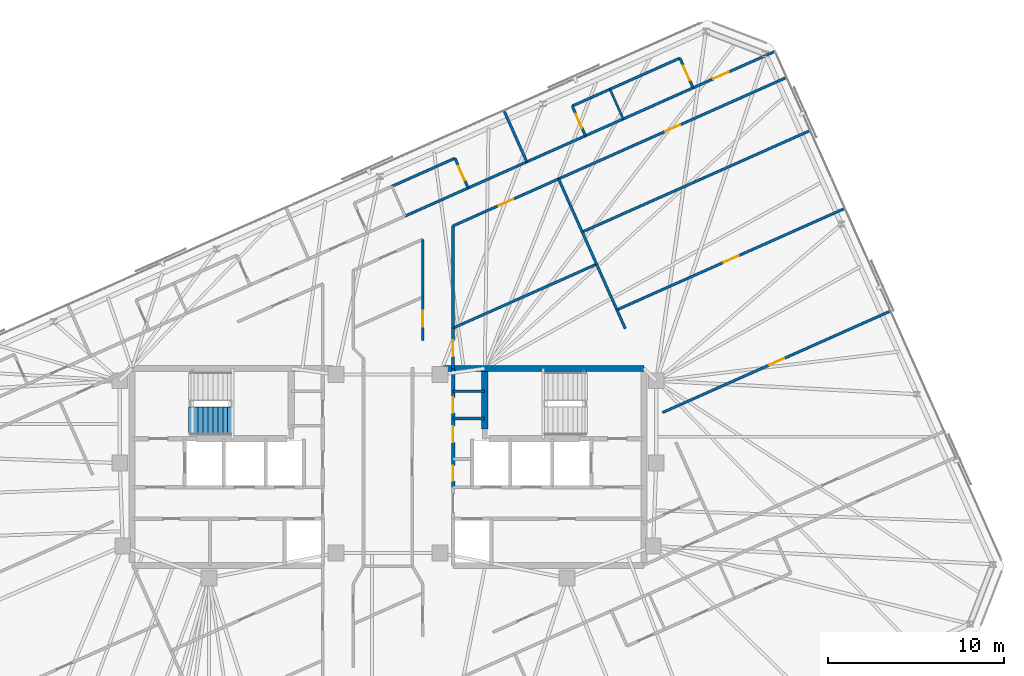
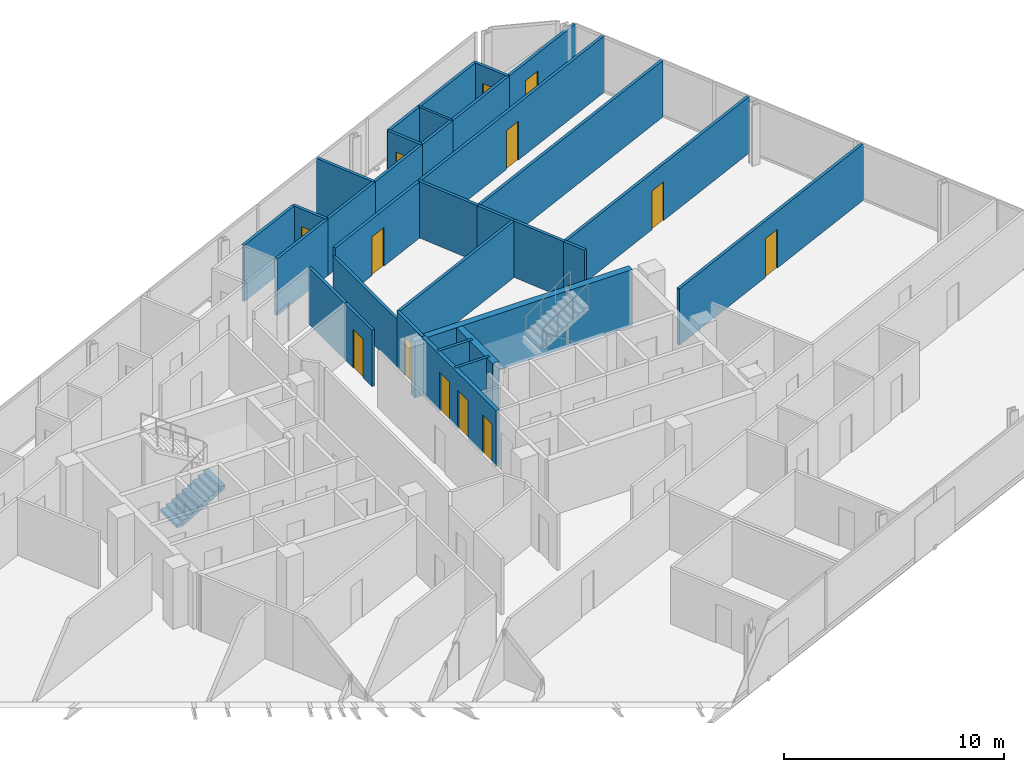
# One storey, part 17 of 19: 33 walls, 13 doors, 1 stair flight, 13 openings, 1 element without a shape of its own.
"""IFC4 building model written with IfcOpenShell, lengths in metres."""

from ifc_helpers import new_model, si_unit, direction, frame, frame_2d, origin, place, context, subcontext, project, spatial, polyline, rectangle, outline, extrude, material, layer, layer_set, type_object, element, fill, aggregate, save


model = new_model("IFC4")

# Units and contexts
model_context = context("Model", 3, precision=1e-05, world=origin(), true_north=direction((0.0, 1.0)))
body_context = subcontext(model_context, "Body", "Model", "MODEL_VIEW")
ifc_project = project(units=[si_unit("LENGTHUNIT", "METRE"), si_unit("AREAUNIT", "SQUARE_METRE"), si_unit("VOLUMEUNIT", "CUBIC_METRE"), si_unit("PLANEANGLEUNIT", "RADIAN"), si_unit("MASSUNIT", "GRAM", prefix="KILO")], contexts=[model_context])

# Site, building, storey
site_placement = place(None, origin())
site = spatial("IfcSite", under=ifc_project, at=site_placement, CompositionType="ELEMENT")
building_placement = place(site_placement, origin())
building = spatial("IfcBuilding", under=site, at=building_placement, Name="Menara Jurai Vektor", CompositionType="ELEMENT")
storey_placement = place(building_placement, frame((0.0, 0.0, 265.550048828125)))
storey = spatial("IfcBuildingStorey", under=building, at=storey_placement, Name="L71", CompositionType="ELEMENT", Elevation=265.550048828125)

# Walls
ifc_material_1 = material(Name="Gypsum Fireboard Partition", Category="gypsum")
ifc_layer_1 = layer(ifc_material_1, 0.14990234375)
ifc_layer_set_1 = layer_set([ifc_layer_1], Name="Gypsum Fireboard Partition")
wall_type_1 = type_object("IfcWallType", Name="INT-WALL-CORR-150", PredefinedType="PARTITIONING", material=ifc_layer_set_1)
for number, where, z_axis, x_axis, name in (
    (1, (3.699951171875, 4.300048828125, 0.0), (0.0, 0.0, 1.0), (1.0, 0.0, 0.0), "Interior Wall IW-150 L71"),
    (2, (3.699951171875, 2.75, 0.0), (0.0, 0.0, 1.0), (1.0, 0.0, 0.0), "Interior Wall IW-150 L71"),
):
    element("IfcWall", number, at=place(storey_placement, frame(where, z_axis=z_axis, x_axis=x_axis)), inside=storey, type_object=wall_type_1, Name=name, PredefinedType="PARTITIONING", context=body_context, shape_type="SweptSolid", body=[
        extrude(rectangle(XDim=1.800048828125, YDim=0.14990234375, at=frame_2d((0.89990234375, 0.0))), origin(), (0.0, 0.0, 1.0), 3.125),
    ])
wall_1_placement = place(storey_placement, frame((4.56005859375, 15.859130859375, 0.0), z_axis=(0.0, 0.0, 1.0), x_axis=(0.913543802, 0.40674036169, 0.0)))
element("IfcWall", 3, at=wall_1_placement, inside=storey, type_object=wall_type_1, Name="Interior Wall IW-150 L71", PredefinedType="PARTITIONING", context=body_context, shape_type="SweptSolid", body=[
    extrude(rectangle(XDim=3.650146484375, YDim=0.14990234375, at=frame_2d((1.8251953125, 0.0))), origin(), (0.0, 0.0, 1.0), 3.125),
])
wall_2_placement = place(storey_placement, frame((0.97705078125, 14.263916015625, 0.0), z_axis=(0.0, 0.0, 1.0), x_axis=(0.913549532696, 0.406727490232, 0.0)))
element("IfcWall", 4, at=wall_2_placement, inside=storey, type_object=wall_type_1, Name="Interior Wall IW-150 L71", PredefinedType="PARTITIONING", context=body_context, shape_type="SweptSolid", body=[
    extrude(rectangle(XDim=3.922119140625, YDim=0.14990234375, at=frame_2d((1.9609375, 0.0))), origin(), (0.0, 0.0, 1.0), 3.125),
])
wall_3_placement = place(storey_placement, frame((7.89453125, 17.34375, 0.0), z_axis=(0.0, 0.0, 1.0), x_axis=(0.913543802, 0.40674036169, 0.0)))
element("IfcWall", 5, at=wall_3_placement, inside=storey, type_object=wall_type_1, Name="Interior Wall IW-150 L71", PredefinedType="PARTITIONING", context=body_context, shape_type="SweptSolid", body=[
    extrude(rectangle(XDim=3.650146484375, YDim=0.14990234375, at=frame_2d((1.8251953125, 0.0))), origin(), (0.0, 0.0, 1.0), 3.125),
])

# Wall, opening, door
wall_4_placement = place(storey_placement, frame((17.349609375, 21.553466796875, 0.0), z_axis=(0.0, 0.0, 1.0), x_axis=(0.913558695023, 0.40670691013, 0.0)))
wall_4 = element("IfcWall", 6, at=wall_4_placement, inside=storey, type_object=wall_type_1, Name="Interior Wall IW-150 L71", PredefinedType="PARTITIONING", context=body_context, shape_type="SweptSolid", body=[
    extrude(rectangle(XDim=5.10009765625, YDim=0.14990234375, at=frame_2d((2.550048828125, 0.0))), origin(), (0.0, 0.0, 1.0), 3.125),
])
opening_1_placement = place(wall_4_placement, frame((1.25, 0.0, 0.0)))
opening_1 = element("IfcOpeningElement", 7, at=opening_1_placement, cuts=wall_4, Name="Opening D71-19", PredefinedType="OPENING", context=body_context, shape_type="SweptSolid", body=[
    extrude(rectangle(XDim=0.949951171875, YDim=2.14990234375, at=frame_2d((0.47509765625, 1.074951171875))), frame((0.0, 0.0849609375, 0.0), z_axis=(0.0, -1.0, 0.0), x_axis=(1.0, 0.0, 0.0)), (0.0, 0.0, 1.0), 0.169921875),
])
ifc_material_2 = material(Name="Solid Core Timber Fire Door", Category="wood")
door_type_1 = type_object("IfcDoorType", Name="DR-ENTRY-950", OperationType="NOTDEFINED", PredefinedType="DOOR", material=ifc_material_2)
door_1_placement = place(opening_1_placement, origin())
door_1 = element("IfcDoor", 8, at=door_1_placement, inside=storey, type_object=door_type_1, Name="Interior Door D71-19", OperationType="SINGLE_SWING_LEFT", OverallHeight=2.14990234375, OverallWidth=0.949951171875, PredefinedType="DOOR", context=body_context, shape_type="SweptSolid", body=[
    extrude(rectangle(XDim=0.949951171875, YDim=2.14990234375, at=frame_2d((0.47509765625, 1.074951171875))), frame((0.0, 0.02490234375, 0.0), z_axis=(0.0, -1.0, 0.0), x_axis=(1.0, 0.0, 0.0)), (0.0, 0.0, 1.0), 0.050048828125),
])
fill(opening_1, door_1)

# Walls
wall_5_placement = place(storey_placement, frame((11.22900390625, 18.828369140625, 0.0), z_axis=(0.0, 0.0, 1.0), x_axis=(0.913541436194, 0.406745675276, 0.0)))
element("IfcWall", 9, at=wall_5_placement, inside=storey, type_object=wall_type_1, Name="Interior Wall IW-150 L71", PredefinedType="PARTITIONING", context=body_context, shape_type="SweptSolid", body=[
    extrude(rectangle(XDim=2.349853515625, YDim=0.14990234375, at=frame_2d((1.1748046875, 0.0))), origin(), (0.0, 0.0, 1.0), 3.125),
])
wall_6_placement = place(storey_placement, frame((13.375732421875, 19.7841796875, 0.0), z_axis=(0.0, 0.0, 1.0), x_axis=(0.913545193015, 0.406737237438, 0.0)))
element("IfcWall", 10, at=wall_6_placement, inside=storey, type_object=wall_type_1, Name="Interior Wall IW-150 L71", PredefinedType="PARTITIONING", context=body_context, shape_type="SweptSolid", body=[
    extrude(rectangle(XDim=4.349853515625, YDim=0.14990234375, at=frame_2d((2.1748046875, 0.0))), origin(), (0.0, 0.0, 1.0), 3.125),
])

# Wall, opening, door
wall_7_placement = place(storey_placement, frame((3.7001953125, 5.6005859375, 0.0), z_axis=(0.0, 0.0, 1.0), x_axis=(-0.00010651896, 0.999999994327, 0.0)))
wall_7 = element("IfcWall", 11, at=wall_7_placement, inside=storey, type_object=wall_type_1, Name="Interior Wall IW-150 L71", PredefinedType="PARTITIONING", context=body_context, shape_type="SweptSolid", body=[
    extrude(rectangle(XDim=2.2919921875, YDim=0.14990234375, at=frame_2d((1.14599609375, 0.0))), origin(), (0.0, 0.0, 1.0), 3.125),
])
opening_2_placement = place(wall_7_placement, frame((0.68603515625, 0.0, 0.0)))
opening_2 = element("IfcOpeningElement", 12, at=opening_2_placement, cuts=wall_7, Name="Opening D71-44", PredefinedType="OPENING", context=body_context, shape_type="SweptSolid", body=[
    extrude(rectangle(XDim=0.919921875, YDim=2.14990234375, at=frame_2d((0.4599609375, 1.074951171875))), frame((0.0, 0.0849609375, 0.0), z_axis=(0.0, -1.0, 0.0), x_axis=(1.0, 0.0, 0.0)), (0.0, 0.0, 1.0), 0.169921875),
])
door_2_placement = place(opening_2_placement, origin())
door_2 = element("IfcDoor", 13, at=door_2_placement, inside=storey, type_object=door_type_1, Name="Interior Door D71-44", OperationType="SINGLE_SWING_RIGHT", OverallHeight=2.14990234375, OverallWidth=0.919921875, PredefinedType="DOOR", context=body_context, shape_type="SweptSolid", body=[
    extrude(rectangle(XDim=0.919921875, YDim=2.14990234375, at=frame_2d((0.4599609375, 1.074951171875))), frame((0.0, 0.02490234375, 0.0), z_axis=(0.0, -1.0, 0.0), x_axis=(1.0, 0.0, 0.0)), (0.0, 0.0, 1.0), 0.050048828125),
])
fill(opening_2, door_2)

wall_8_placement = place(storey_placement, frame((3.69970703125, 13.702880859375, 0.0), z_axis=(0.0, 0.0, 1.0), x_axis=(0.913549363376, 0.406727870542, 0.0)))
wall_8 = element("IfcWall", 14, at=wall_8_placement, inside=storey, type_object=wall_type_1, Name="Interior Wall IW-150 L71", PredefinedType="PARTITIONING", context=body_context, shape_type="SweptSolid", body=[
    extrude(rectangle(XDim=6.571044921875, YDim=0.14990234375, at=frame_2d((3.28564453125, 0.0))), origin(), (0.0, 0.0, 1.0), 3.125),
])
opening_3_placement = place(wall_8_placement, frame((2.825439453125, 0.0, 0.0)))
opening_3 = element("IfcOpeningElement", 15, at=opening_3_placement, cuts=wall_8, Name="Opening D71-45", PredefinedType="OPENING", context=body_context, shape_type="SweptSolid", body=[
    extrude(rectangle(XDim=0.919921875, YDim=2.14990234375, at=frame_2d((0.4599609375, 1.074951171875))), frame((0.0, 0.0849609375, 0.0), z_axis=(0.0, -1.0, 0.0), x_axis=(1.0, 0.0, 0.0)), (0.0, 0.0, 1.0), 0.169921875),
])
door_3_placement = place(opening_3_placement, origin())
door_3 = element("IfcDoor", 16, at=door_3_placement, inside=storey, type_object=door_type_1, Name="Interior Door D71-45", OperationType="SINGLE_SWING_LEFT", OverallHeight=2.14990234375, OverallWidth=0.919921875, PredefinedType="DOOR", context=body_context, shape_type="SweptSolid", body=[
    extrude(rectangle(XDim=0.919921875, YDim=2.14990234375, at=frame_2d((0.4599609375, 1.074951171875))), frame((0.0, 0.02490234375, 0.0), z_axis=(0.0, -1.0, 0.0), x_axis=(1.0, 0.0, 0.0)), (0.0, 0.0, 1.0), 0.050048828125),
])
fill(opening_3, door_3)

wall_9_placement = place(storey_placement, frame((1.97998046875, 7.180419921875, 0.0), z_axis=(0.0, 0.0, 1.0), x_axis=(0.000197102588, 0.999999980575, 0.0)))
wall_9 = element("IfcWall", 17, at=wall_9_placement, inside=storey, type_object=wall_type_1, Name="Interior Wall IW-150 L71", PredefinedType="PARTITIONING", context=body_context, shape_type="SweptSolid", body=[
    extrude(rectangle(XDim=2.477294921875, YDim=0.14990234375, at=frame_2d((1.23876953125, 0.0))), origin(), (0.0, 0.0, 1.0), 3.125),
])
opening_4_placement = place(wall_9_placement, frame((0.77880859375, 0.0, 0.0)))
opening_4 = element("IfcOpeningElement", 18, at=opening_4_placement, cuts=wall_9, Name="Opening D71-47", PredefinedType="OPENING", context=body_context, shape_type="SweptSolid", body=[
    extrude(rectangle(XDim=0.919921875, YDim=2.14990234375, at=frame_2d((0.4599609375, 1.074951171875))), frame((0.0, 0.0849609375, 0.0), z_axis=(0.0, -1.0, 0.0), x_axis=(1.0, 0.0, 0.0)), (0.0, 0.0, 1.0), 0.169921875),
])
door_4_placement = place(opening_4_placement, origin())
door_4 = element("IfcDoor", 19, at=door_4_placement, inside=storey, type_object=door_type_1, Name="Interior Door D71-47", OperationType="SINGLE_SWING_LEFT", OverallHeight=2.14990234375, OverallWidth=0.919921875, PredefinedType="DOOR", context=body_context, shape_type="SweptSolid", body=[
    extrude(rectangle(XDim=0.919921875, YDim=2.14990234375, at=frame_2d((0.4599609375, 1.074951171875))), frame((0.0, 0.02490234375, 0.0), z_axis=(0.0, -1.0, 0.0), x_axis=(1.0, 0.0, 0.0)), (0.0, 0.0, 1.0), 0.050048828125),
])
fill(opening_4, door_4)

# Wall
wall_10_placement = place(storey_placement, frame((1.98046875, 9.65771484375, 0.0), z_axis=(0.0, 0.0, 1.0), x_axis=(0.0, 1.0, 0.0)))
element("IfcWall", 20, at=wall_10_placement, inside=storey, type_object=wall_type_1, Name="Interior Wall IW-150 L71", PredefinedType="PARTITIONING", context=body_context, shape_type="SweptSolid", body=[
    extrude(rectangle(XDim=3.279541015625, YDim=0.14990234375, at=frame_2d((1.6396484375, 0.0))), origin(), (0.0, 0.0, 1.0), 3.125),
])

# Wall, opening, door
wall_11_placement = place(storey_placement, frame((9.70263671875, 16.37548828125, 0.0), z_axis=(0.0, 0.0, 1.0), x_axis=(0.913544622417, 0.406738519018, 0.0)))
wall_11 = element("IfcWall", 21, at=wall_11_placement, inside=storey, type_object=wall_type_1, Name="Interior Wall IW-150 L71", PredefinedType="PARTITIONING", context=body_context, shape_type="SweptSolid", body=[
    extrude(rectangle(XDim=14.192138671875, YDim=0.14990234375, at=frame_2d((7.09619140625, 0.0))), origin(), (0.0, 0.0, 1.0), 3.125),
])
opening_5_placement = place(wall_11_placement, frame((6.635986328125, 0.0, 0.0)))
opening_5 = element("IfcOpeningElement", 22, at=opening_5_placement, cuts=wall_11, Name="Opening D71-53", PredefinedType="OPENING", context=body_context, shape_type="SweptSolid", body=[
    extrude(rectangle(XDim=0.919921875, YDim=2.14990234375, at=frame_2d((0.4599609375, 1.074951171875))), frame((0.0, 0.0849609375, 0.0), z_axis=(0.0, -1.0, 0.0), x_axis=(1.0, 0.0, 0.0)), (0.0, 0.0, 1.0), 0.169921875),
])
door_5_placement = place(opening_5_placement, origin())
door_5 = element("IfcDoor", 23, at=door_5_placement, inside=storey, type_object=door_type_1, Name="Interior Door D71-53", OperationType="SINGLE_SWING_LEFT", OverallHeight=2.14990234375, OverallWidth=0.919921875, PredefinedType="DOOR", context=body_context, shape_type="SweptSolid", body=[
    extrude(rectangle(XDim=0.919921875, YDim=2.14990234375, at=frame_2d((0.4599609375, 1.074951171875))), frame((0.0, 0.02490234375, 0.0), z_axis=(0.0, -1.0, 0.0), x_axis=(1.0, 0.0, 0.0)), (0.0, 0.0, 1.0), 0.050048828125),
])
fill(opening_5, door_5)

# Wall
wall_12_placement = place(storey_placement, frame((0.224609375, 15.9541015625, 0.0), z_axis=(0.0, 0.0, 1.0), x_axis=(0.913549532696, 0.406727490232, 0.0)))
element("IfcWall", 24, at=wall_12_placement, inside=storey, type_object=wall_type_1, Name="Interior Wall IW-150 L71", PredefinedType="PARTITIONING", context=body_context, shape_type="SweptSolid", body=[
    extrude(rectangle(XDim=3.922119140625, YDim=0.14990234375, at=frame_2d((1.9609375, 0.0))), origin(), (0.0, 0.0, 1.0), 3.125),
])

# Wall, opening, door
wall_13_placement = place(storey_placement, frame((4.56005859375, 15.859130859375, 0.0), z_axis=(0.0, 0.0, 1.0), x_axis=(-0.406701600856, 0.913561058639, 0.0)))
wall_13 = element("IfcWall", 25, at=wall_13_placement, inside=storey, type_object=wall_type_1, Name="Interior Wall IW-150 L71", PredefinedType="PARTITIONING", context=body_context, shape_type="SweptSolid", body=[
    extrude(rectangle(XDim=1.85009765625, YDim=0.14990234375, at=frame_2d((0.925048828125, 0.0))), origin(), (0.0, 0.0, 1.0), 3.125),
])
opening_6_placement = place(wall_13_placement, frame((0.47509765625, 0.0, 0.0)))
opening_6 = element("IfcOpeningElement", 26, at=opening_6_placement, cuts=wall_13, Name="Opening D71-18", PredefinedType="OPENING", context=body_context, shape_type="SweptSolid", body=[
    extrude(rectangle(XDim=0.89990234375, YDim=2.14990234375, at=frame_2d((0.449951171875, 1.074951171875))), frame((0.0, 0.0849609375, 0.0), z_axis=(0.0, -1.0, 0.0), x_axis=(1.0, 0.0, 0.0)), (0.0, 0.0, 1.0), 0.169921875),
])
ifc_material_3 = material(Name="Acoustic Timber Interior Door", Category="wood")
door_type_2 = type_object("IfcDoorType", Name="DR-ROOM-900", OperationType="NOTDEFINED", PredefinedType="DOOR", material=ifc_material_3)
door_6_placement = place(opening_6_placement, origin())
door_6 = element("IfcDoor", 27, at=door_6_placement, inside=storey, type_object=door_type_2, Name="Interior Door D71-18", OperationType="SINGLE_SWING_RIGHT", OverallHeight=2.14990234375, OverallWidth=0.89990234375, PredefinedType="DOOR", context=body_context, shape_type="SweptSolid", body=[
    extrude(rectangle(XDim=0.89990234375, YDim=2.14990234375, at=frame_2d((0.449951171875, 1.074951171875))), frame((0.0, 0.02490234375, 0.0), z_axis=(0.0, -1.0, 0.0), x_axis=(1.0, 0.0, 0.0)), (0.0, 0.0, 1.0), 0.050048828125),
])
fill(opening_6, door_6)

# Wall
wall_14_placement = place(storey_placement, frame((7.89453125, 17.34375, 0.0), z_axis=(0.0, 0.0, 1.0), x_axis=(-0.406733350739, 0.913546923478, 0.0)))
element("IfcWall", 28, at=wall_14_placement, inside=storey, type_object=wall_type_1, Name="Interior Wall IW-150 L71", PredefinedType="PARTITIONING", context=body_context, shape_type="SweptSolid", body=[
    extrude(rectangle(XDim=3.197998046875, YDim=0.14990234375, at=frame_2d((1.59912109375, 0.0))), origin(), (0.0, 0.0, 1.0), 3.125),
])

# Wall, opening, door
wall_15_placement = place(storey_placement, frame((11.22900390625, 18.828369140625, 0.0), z_axis=(0.0, 0.0, 1.0), x_axis=(-0.406750635596, 0.913539227643, 0.0)))
wall_15 = element("IfcWall", 29, at=wall_15_placement, inside=storey, type_object=wall_type_1, Name="Interior Wall IW-150 L71", PredefinedType="PARTITIONING", context=body_context, shape_type="SweptSolid", body=[
    extrude(rectangle(XDim=1.849853515625, YDim=0.14990234375, at=frame_2d((0.9248046875, 0.0))), origin(), (0.0, 0.0, 1.0), 3.125),
])
opening_7_placement = place(wall_15_placement, frame((0.485107421875, 0.0, 0.0)))
opening_7 = element("IfcOpeningElement", 30, at=opening_7_placement, cuts=wall_15, Name="Opening D71-20", PredefinedType="OPENING", context=body_context, shape_type="SweptSolid", body=[
    extrude(rectangle(XDim=0.8798828125, YDim=2.14990234375, at=frame_2d((0.43994140625, 1.074951171875))), frame((0.0, 0.0849609375, 0.0), z_axis=(0.0, -1.0, 0.0), x_axis=(1.0, 0.0, 0.0)), (0.0, 0.0, 1.0), 0.169921875),
])
ifc_material_4 = material(Name="Moisture-Resistant Timber Door", Category="wood")
door_type_3 = type_object("IfcDoorType", Name="DR-BATH-880", OperationType="NOTDEFINED", PredefinedType="DOOR", material=ifc_material_4)
door_7_placement = place(opening_7_placement, origin())
door_7 = element("IfcDoor", 31, at=door_7_placement, inside=storey, type_object=door_type_3, Name="Interior Door D71-20", OperationType="SINGLE_SWING_RIGHT", OverallHeight=2.14990234375, OverallWidth=0.8798828125, PredefinedType="DOOR", context=body_context, shape_type="SweptSolid", body=[
    extrude(rectangle(XDim=0.8798828125, YDim=2.14990234375, at=frame_2d((0.43994140625, 1.074951171875))), frame((0.0, 0.02490234375, 0.0), z_axis=(0.0, -1.0, 0.0), x_axis=(1.0, 0.0, 0.0)), (0.0, 0.0, 1.0), 0.050048828125),
])
fill(opening_7, door_7)

# Walls
wall_16_placement = place(storey_placement, frame((10.4765625, 20.518310546875, 0.0), z_axis=(0.0, 0.0, 1.0), x_axis=(0.913541436194, 0.406745675276, 0.0)))
element("IfcWall", 32, at=wall_16_placement, inside=storey, type_object=wall_type_1, Name="Interior Wall IW-150 L71", PredefinedType="PARTITIONING", context=body_context, shape_type="SweptSolid", body=[
    extrude(rectangle(XDim=2.349853515625, YDim=0.14990234375, at=frame_2d((1.1748046875, 0.0))), origin(), (0.0, 0.0, 1.0), 3.125),
])
wall_17_placement = place(storey_placement, frame((12.623291015625, 21.47412109375, 0.0), z_axis=(0.0, 0.0, 1.0), x_axis=(0.913545193015, 0.406737237438, 0.0)))
element("IfcWall", 33, at=wall_17_placement, inside=storey, type_object=wall_type_1, Name="Interior Wall IW-150 L71", PredefinedType="PARTITIONING", context=body_context, shape_type="SweptSolid", body=[
    extrude(rectangle(XDim=4.349853515625, YDim=0.14990234375, at=frame_2d((2.1748046875, 0.0))), origin(), (0.0, 0.0, 1.0), 3.125),
])

# Wall, opening, door
wall_18_placement = place(storey_placement, frame((17.349609375, 21.553466796875, 0.0), z_axis=(0.0, 0.0, 1.0), x_axis=(-0.406750635596, 0.913539227643, 0.0)))
wall_18 = element("IfcWall", 34, at=wall_18_placement, inside=storey, type_object=wall_type_1, Name="Interior Wall IW-150 L71", PredefinedType="PARTITIONING", context=body_context, shape_type="SweptSolid", body=[
    extrude(rectangle(XDim=1.849853515625, YDim=0.14990234375, at=frame_2d((0.9248046875, 0.0))), origin(), (0.0, 0.0, 1.0), 3.125),
])
opening_8_placement = place(wall_18_placement, frame((0.47509765625, 0.0, 0.0)))
opening_8 = element("IfcOpeningElement", 35, at=opening_8_placement, cuts=wall_18, Name="Opening D71-21", PredefinedType="OPENING", context=body_context, shape_type="SweptSolid", body=[
    extrude(rectangle(XDim=0.89990234375, YDim=2.14990234375, at=frame_2d((0.449951171875, 1.074951171875))), frame((0.0, 0.0849609375, 0.0), z_axis=(0.0, -1.0, 0.0), x_axis=(1.0, 0.0, 0.0)), (0.0, 0.0, 1.0), 0.169921875),
])
door_8_placement = place(opening_8_placement, origin())
door_8 = element("IfcDoor", 36, at=door_8_placement, inside=storey, type_object=door_type_2, Name="Interior Door D71-21", OperationType="SINGLE_SWING_LEFT", OverallHeight=2.14990234375, OverallWidth=0.89990234375, PredefinedType="DOOR", context=body_context, shape_type="SweptSolid", body=[
    extrude(rectangle(XDim=0.89990234375, YDim=2.14990234375, at=frame_2d((0.449951171875, 1.074951171875))), frame((0.0, 0.02490234375, 0.0), z_axis=(0.0, -1.0, 0.0), x_axis=(1.0, 0.0, 0.0)), (0.0, 0.0, 1.0), 0.050048828125),
])
fill(opening_8, door_8)

# Walls
wall_19_placement = place(storey_placement, frame((3.699951171875, 7.892578125, 0.0), z_axis=(0.0, 0.0, 1.0), x_axis=(0.913545406364, 0.406736758251, 0.0)))
element("IfcWall", 37, at=wall_19_placement, inside=storey, type_object=wall_type_1, Name="Interior Wall IW-150 L71", PredefinedType="PARTITIONING", context=body_context, shape_type="SweptSolid", body=[
    extrude(rectangle(XDim=8.93408203125, YDim=0.14990234375, at=frame_2d((4.467041015625, 0.0))), origin(), (0.0, 0.0, 1.0), 3.125),
])
wall_20_placement = place(storey_placement, frame((13.49267578125, 7.863037109375, 0.0), z_axis=(0.0, 0.0, 1.0), x_axis=(-0.406720145117, 0.913552802829, 0.0)))
element("IfcWall", 38, at=wall_20_placement, inside=storey, type_object=wall_type_1, Name="Interior Wall IW-150 L71", PredefinedType="PARTITIONING", context=body_context, shape_type="SweptSolid", body=[
    extrude(rectangle(XDim=1.168212890625, YDim=0.14990234375, at=frame_2d((0.583984375, 0.0))), origin(), (0.0, 0.0, 1.0), 3.125),
])
wall_21_placement = place(storey_placement, frame((13.017578125, 8.93017578125, 0.0), z_axis=(0.0, 0.0, 1.0), x_axis=(-0.406768056625, 0.913531470782, 0.0)))
element("IfcWall", 39, at=wall_21_placement, inside=storey, type_object=wall_type_1, Name="Interior Wall IW-150 L71", PredefinedType="PARTITIONING", context=body_context, shape_type="SweptSolid", body=[
    extrude(rectangle(XDim=2.842041015625, YDim=0.14990234375, at=frame_2d((1.4208984375, 0.0))), origin(), (0.0, 0.0, 1.0), 3.125),
])
wall_22_placement = place(storey_placement, frame((11.861572265625, 11.5263671875, 0.0), z_axis=(0.0, 0.0, 1.0), x_axis=(-0.406760035505, 0.913535042303, 0.0)))
element("IfcWall", 40, at=wall_22_placement, inside=storey, type_object=wall_type_1, Name="Interior Wall IW-150 L71", PredefinedType="PARTITIONING", context=body_context, shape_type="SweptSolid", body=[
    extrude(rectangle(XDim=2.004150390625, YDim=0.14990234375, at=frame_2d((1.001953125, 0.0))), origin(), (0.0, 0.0, 1.0), 3.125),
])
wall_23_placement = place(storey_placement, frame((11.04638671875, 13.357177734375, 0.0), z_axis=(0.0, 0.0, 1.0), x_axis=(-0.406714303965, 0.913555403328, 0.0)))
element("IfcWall", 41, at=wall_23_placement, inside=storey, type_object=wall_type_1, Name="Interior Wall IW-150 L71", PredefinedType="PARTITIONING", context=body_context, shape_type="SweptSolid", body=[
    extrude(rectangle(XDim=3.303955078125, YDim=0.14990234375, at=frame_2d((1.65185546875, 0.0))), origin(), (0.0, 0.0, 1.0), 3.125),
])

# Wall, opening, door
wall_24_placement = place(storey_placement, frame((15.61572265625, 3.094482421875, 0.0), z_axis=(0.0, 0.0, 1.0), x_axis=(0.913551014388, 0.406724162191, 0.0)))
wall_24 = element("IfcWall", 42, at=wall_24_placement, inside=storey, type_object=wall_type_1, Name="Interior Wall IW-150 L71", PredefinedType="PARTITIONING", context=body_context, shape_type="SweptSolid", body=[
    extrude(rectangle(XDim=14.19189453125, YDim=0.14990234375, at=frame_2d((7.095947265625, 0.0))), origin(), (0.0, 0.0, 1.0), 3.125),
])
opening_9_placement = place(wall_24_placement, frame((6.635986328125, 0.0, 0.0)))
opening_9 = element("IfcOpeningElement", 43, at=opening_9_placement, cuts=wall_24, Name="Opening D71-51", PredefinedType="OPENING", context=body_context, shape_type="SweptSolid", body=[
    extrude(rectangle(XDim=0.919921875, YDim=2.14990234375, at=frame_2d((0.4599609375, 1.074951171875))), frame((0.0, 0.0849609375, 0.0), z_axis=(0.0, -1.0, 0.0), x_axis=(1.0, 0.0, 0.0)), (0.0, 0.0, 1.0), 0.169921875),
])
door_9_placement = place(opening_9_placement, origin())
door_9 = element("IfcDoor", 44, at=door_9_placement, inside=storey, type_object=door_type_1, Name="Interior Door D71-51", OperationType="SINGLE_SWING_LEFT", OverallHeight=2.14990234375, OverallWidth=0.919921875, PredefinedType="DOOR", context=body_context, shape_type="SweptSolid", body=[
    extrude(rectangle(XDim=0.919921875, YDim=2.14990234375, at=frame_2d((0.4599609375, 1.074951171875))), frame((0.0, 0.02490234375, 0.0), z_axis=(0.0, -1.0, 0.0), x_axis=(1.0, 0.0, 0.0)), (0.0, 0.0, 1.0), 0.050048828125),
])
fill(opening_9, door_9)

wall_25_placement = place(storey_placement, frame((13.017578125, 8.93017578125, 0.0), z_axis=(0.0, 0.0, 1.0), x_axis=(0.913551014388, 0.406724162191, 0.0)))
wall_25 = element("IfcWall", 45, at=wall_25_placement, inside=storey, type_object=wall_type_1, Name="Interior Wall IW-150 L71", PredefinedType="PARTITIONING", context=body_context, shape_type="SweptSolid", body=[
    extrude(rectangle(XDim=14.19189453125, YDim=0.14990234375, at=frame_2d((7.095947265625, 0.0))), origin(), (0.0, 0.0, 1.0), 3.125),
])
opening_10_placement = place(wall_25_placement, frame((6.635986328125, 0.0, 0.0)))
opening_10 = element("IfcOpeningElement", 46, at=opening_10_placement, cuts=wall_25, Name="Opening D71-52", PredefinedType="OPENING", context=body_context, shape_type="SweptSolid", body=[
    extrude(rectangle(XDim=0.919921875, YDim=2.14990234375, at=frame_2d((0.4599609375, 1.074951171875))), frame((0.0, 0.0849609375, 0.0), z_axis=(0.0, -1.0, 0.0), x_axis=(1.0, 0.0, 0.0)), (0.0, 0.0, 1.0), 0.169921875),
])
door_10_placement = place(opening_10_placement, origin())
door_10 = element("IfcDoor", 47, at=door_10_placement, inside=storey, type_object=door_type_1, Name="Interior Door D71-52", OperationType="SINGLE_SWING_RIGHT", OverallHeight=2.14990234375, OverallWidth=0.919921875, PredefinedType="DOOR", context=body_context, shape_type="SweptSolid", body=[
    extrude(rectangle(XDim=0.919921875, YDim=2.14990234375, at=frame_2d((0.4599609375, 1.074951171875))), frame((0.0, 0.02490234375, 0.0), z_axis=(0.0, -1.0, 0.0), x_axis=(1.0, 0.0, 0.0)), (0.0, 0.0, 1.0), 0.050048828125),
])
fill(opening_10, door_10)

# Walls
wall_26_placement = place(storey_placement, frame((11.04638671875, 13.357177734375, 0.0), z_axis=(0.0, 0.0, 1.0), x_axis=(0.913553860075, 0.406717770379, 0.0)))
element("IfcWall", 48, at=wall_26_placement, inside=storey, type_object=wall_type_1, Name="Interior Wall IW-150 L71", PredefinedType="PARTITIONING", context=body_context, shape_type="SweptSolid", body=[
    extrude(rectangle(XDim=14.192138671875, YDim=0.14990234375, at=frame_2d((7.09619140625, 0.0))), origin(), (0.0, 0.0, 1.0), 3.125),
])
ifc_layer_2 = layer(ifc_material_1, 0.14990234375)
ifc_layer_set_2 = layer_set([ifc_layer_2], Name="Gypsum Fireboard Partition")
wall_type_2 = type_object("IfcWallType", Name="INT-WALL-CORR-150-H1", PredefinedType="PARTITIONING", material=ifc_layer_set_2)
wall_27_placement = place(storey_placement, frame((3.699951171875, 7.892578125, 0.0), z_axis=(0.0, 0.0, 1.0), x_axis=(-4.2018572e-05, 0.999999999117, 0.0)))
element("IfcWall", 49, at=wall_27_placement, inside=storey, type_object=wall_type_2, Name="Interior Wall IW-150 L71", PredefinedType="PARTITIONING", context=body_context, shape_type="SweptSolid", body=[
    extrude(rectangle(XDim=5.810302734375, YDim=0.14990234375, at=frame_2d((2.9052734375, 0.0))), origin(), (0.0, 0.0, 1.0), 2.675048828125),
])
ifc_material_5 = material(Name="Gypsum Acoustic Stud Partition", Category="gypsum")
ifc_layer_3 = layer(ifc_material_5, 0.1201171875)
ifc_layer_set_3 = layer_set([ifc_layer_3], Name="Gypsum Acoustic Stud Partition")
wall_type_3 = type_object("IfcWallType", Name="INT-WALL-PART-120", PredefinedType="PARTITIONING", material=ifc_layer_set_3)
wall_28_placement = place(storey_placement, frame((13.375732421875, 19.7841796875, 0.0), z_axis=(0.0, 0.0, 1.0), x_axis=(-0.406750635596, 0.913539227643, 0.0)))
element("IfcWall", 50, at=wall_28_placement, inside=storey, type_object=wall_type_3, Name="Interior Wall IW-120 L71", PredefinedType="PARTITIONING", context=body_context, shape_type="SweptSolid", body=[
    extrude(rectangle(XDim=1.849853515625, YDim=0.1201171875, at=frame_2d((0.9248046875, 0.0))), origin(), (0.0, 0.0, 1.0), 3.125),
])

# Wall, openings, doors
ifc_material_6 = material(Name="Concrete C40/50", Category="concrete")
ifc_layer_4 = layer(ifc_material_6, 0.199951171875)
ifc_layer_set_4 = layer_set([ifc_layer_4], Name="Concrete C40/50")
wall_type_4 = type_object("IfcWallType", Name="INT-WALL-SHAFT-200", PredefinedType="STANDARD", material=ifc_layer_set_4)
wall_29_placement = place(storey_placement, frame((3.699951171875, -1.14990234375, 0.0), z_axis=(0.0, 0.0, 1.0), x_axis=(0.0, 1.0, 0.0)))
wall_29 = element("IfcWall", 51, at=wall_29_placement, inside=storey, type_object=wall_type_4, Name="Interior Wall IW-200 L71", PredefinedType="STANDARD", context=body_context, shape_type="SweptSolid", body=[
    extrude(rectangle(XDim=6.75, YDim=0.199951171875, at=frame_2d((3.375, 0.0))), origin(), (0.0, 0.0, 1.0), 3.125),
])
opening_11_placement = place(wall_29_placement, frame((0.35009765625, 0.0, 0.0)))
opening_11 = element("IfcOpeningElement", 52, at=opening_11_placement, cuts=wall_29, Name="Opening D71-06", PredefinedType="OPENING", context=body_context, shape_type="SweptSolid", body=[
    extrude(rectangle(XDim=0.8798828125, YDim=2.14990234375, at=frame_2d((0.43994140625, 1.074951171875))), frame((0.0, 0.10986328125, 0.0), z_axis=(0.0, -1.0, 0.0), x_axis=(1.0, 0.0, 0.0)), (0.0, 0.0, 1.0), 0.219970703125),
])
opening_12_placement = place(wall_29_placement, frame((2.550048828125, 0.0, 0.0)))
opening_12 = element("IfcOpeningElement", 53, at=opening_12_placement, cuts=wall_29, Name="Opening D71-07", PredefinedType="OPENING", context=body_context, shape_type="SweptSolid", body=[
    extrude(rectangle(XDim=0.919921875, YDim=2.14990234375, at=frame_2d((0.4599609375, 1.074951171875))), frame((0.0, 0.10986328125, 0.0), z_axis=(0.0, -1.0, 0.0), x_axis=(1.0, 0.0, 0.0)), (0.0, 0.0, 1.0), 0.219970703125),
])
opening_13_placement = place(wall_29_placement, frame((4.219970703125, 0.0, 0.0)))
opening_13 = element("IfcOpeningElement", 54, at=opening_13_placement, cuts=wall_29, Name="Opening D71-08", PredefinedType="OPENING", context=body_context, shape_type="SweptSolid", body=[
    extrude(rectangle(XDim=0.8798828125, YDim=2.14990234375, at=frame_2d((0.43994140625, 1.074951171875))), frame((0.0, 0.10986328125, 0.0), z_axis=(0.0, -1.0, 0.0), x_axis=(1.0, 0.0, 0.0)), (0.0, 0.0, 1.0), 0.219970703125),
])
door_11_placement = place(opening_11_placement, origin())
door_11 = element("IfcDoor", 55, at=door_11_placement, inside=storey, type_object=door_type_1, Name="Interior Door D71-06", OperationType="SINGLE_SWING_RIGHT", OverallHeight=2.14990234375, OverallWidth=0.8798828125, PredefinedType="DOOR", context=body_context, shape_type="SweptSolid", body=[
    extrude(rectangle(XDim=0.8798828125, YDim=2.14990234375, at=frame_2d((0.43994140625, 1.074951171875))), frame((0.0, 0.02490234375, 0.0), z_axis=(0.0, -1.0, 0.0), x_axis=(1.0, 0.0, 0.0)), (0.0, 0.0, 1.0), 0.050048828125),
])
fill(opening_11, door_11)
door_12_placement = place(opening_12_placement, origin())
door_12 = element("IfcDoor", 56, at=door_12_placement, inside=storey, type_object=door_type_1, Name="Interior Door D71-07", OperationType="SINGLE_SWING_RIGHT", OverallHeight=2.14990234375, OverallWidth=0.919921875, PredefinedType="DOOR", context=body_context, shape_type="SweptSolid", body=[
    extrude(rectangle(XDim=0.919921875, YDim=2.14990234375, at=frame_2d((0.4599609375, 1.074951171875))), frame((0.0, 0.02490234375, 0.0), z_axis=(0.0, -1.0, 0.0), x_axis=(1.0, 0.0, 0.0)), (0.0, 0.0, 1.0), 0.050048828125),
])
fill(opening_12, door_12)
door_13_placement = place(opening_13_placement, origin())
door_13 = element("IfcDoor", 57, at=door_13_placement, inside=storey, type_object=door_type_1, Name="Interior Door D71-08", OperationType="SINGLE_SWING_RIGHT", OverallHeight=2.14990234375, OverallWidth=0.8798828125, PredefinedType="DOOR", context=body_context, shape_type="SweptSolid", body=[
    extrude(rectangle(XDim=0.8798828125, YDim=2.14990234375, at=frame_2d((0.43994140625, 1.074951171875))), frame((0.0, 0.02490234375, 0.0), z_axis=(0.0, -1.0, 0.0), x_axis=(1.0, 0.0, 0.0)), (0.0, 0.0, 1.0), 0.050048828125),
])
fill(opening_13, door_13)

# Walls
ifc_material_7 = material(Name="Concrete C50/60", Category="concrete")
ifc_layer_5 = layer(ifc_material_7, 0.35009765625)
ifc_layer_set_5 = layer_set([ifc_layer_5], Name="Concrete C50/60")
wall_type_5 = type_object("IfcWallType", Name="STR-WALL-CORE350", PredefinedType="SHEAR", material=ifc_layer_set_5)
wall_30_placement = place(storey_placement, frame((3.14990234375, 5.60009765625, 0.0), z_axis=(0.0, 0.0, 1.0), x_axis=(1.0, 0.0, 0.0)))
element("IfcWall", 58, at=wall_30_placement, inside=storey, type_object=wall_type_5, Name="Core Shear Wall CW-E-N L71", PredefinedType="SHEAR", context=body_context, shape_type="SweptSolid", body=[
    extrude(rectangle(XDim=11.41015625, YDim=0.35009765625, at=frame_2d((5.705078125, 0.0))), origin(), (0.0, 0.0, 1.0), 3.125),
])
wall_31_placement = place(storey_placement, frame((5.5, 2.14990234375, 0.0), z_axis=(0.0, 0.0, 1.0), x_axis=(0.0, 1.0, 0.0)))
element("IfcWall", 59, at=wall_31_placement, inside=storey, type_object=wall_type_5, Name="Core Shear Wall CW-E-ST L71", PredefinedType="SHEAR", context=body_context, shape_type="SweptSolid", body=[
    extrude(rectangle(XDim=3.275146484375, YDim=0.35009765625, at=frame_2d((1.6376953125, 0.0))), origin(), (0.0, 0.0, 1.0), 3.125),
])

# Stair, stair flight
stair_type = type_object("IfcStairType", Name="STAIR-DOGLEG-1500", PredefinedType="HALF_TURN_STAIR", material=ifc_material_6)
stair_placement = place(storey_placement, origin())
stair = element("IfcStair", 60, at=stair_placement, inside=storey, type_object=stair_type, Name="Protected Exit Stair ST1 L71", PredefinedType="HALF_TURN_STAIR")
stair_flight_type = type_object("IfcStairFlightType", Name="STAIR-FLIGHT-1500", PredefinedType="STRAIGHT", material=ifc_material_6)
stair_flight_placement = place(storey_placement, frame((-11.35009765625, 2.64990234375, 0.0), z_axis=(0.0, 0.0, 1.0), x_axis=(1.0, 0.0, 0.0)))
stair_flight = element("IfcStairFlight", 61, at=stair_flight_placement, type_object=stair_flight_type, Name="ST1 flight 1", NumberOfRisers=10, NumberOfTreads=9, PredefinedType="STRAIGHT", RiserHeight=0.1675, TreadLength=0.28, context=body_context, shape_type="SweptSolid", body=[
    extrude(outline(polyline([(0.0, 0.0), (0.0, 0.16748046875), (0.280029296875, 0.16748046875), (0.280029296875, 0.3349609375), (0.56005859375, 0.3349609375), (0.56005859375, 0.50244140625), (0.840087890625, 0.50244140625), (0.840087890625, 0.669921875), (1.1201171875, 0.669921875), (1.1201171875, 0.83740234375), (1.39990234375, 0.83740234375), (1.39990234375, 1.0048828125), (1.679931640625, 1.0048828125), (1.679931640625, 1.172607421875), (1.9599609375, 1.172607421875), (1.9599609375, 1.340087890625), (2.239990234375, 1.340087890625), (2.239990234375, 1.507568359375), (2.52001953125, 1.507568359375), (2.52001953125, 1.675048828125), (2.52001953125, 1.321044921875), (0.3115234375, 0.0), (0.0, 0.0)])), frame((0.0, 0.75, 0.0), z_axis=(0.0, -1.0, 0.0), x_axis=(1.0, 0.0, 0.0)), (0.0, 0.0, 1.0), 1.5),
])
aggregate(stair, [stair_flight])

save(model, "model.ifc")
